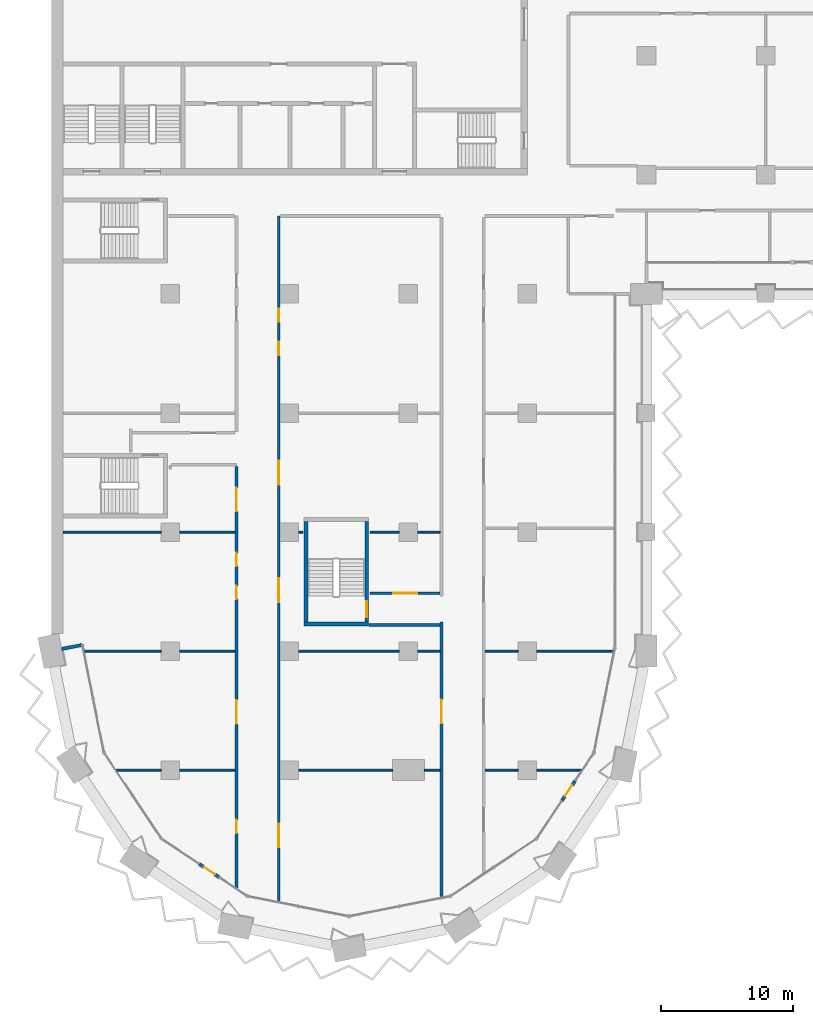
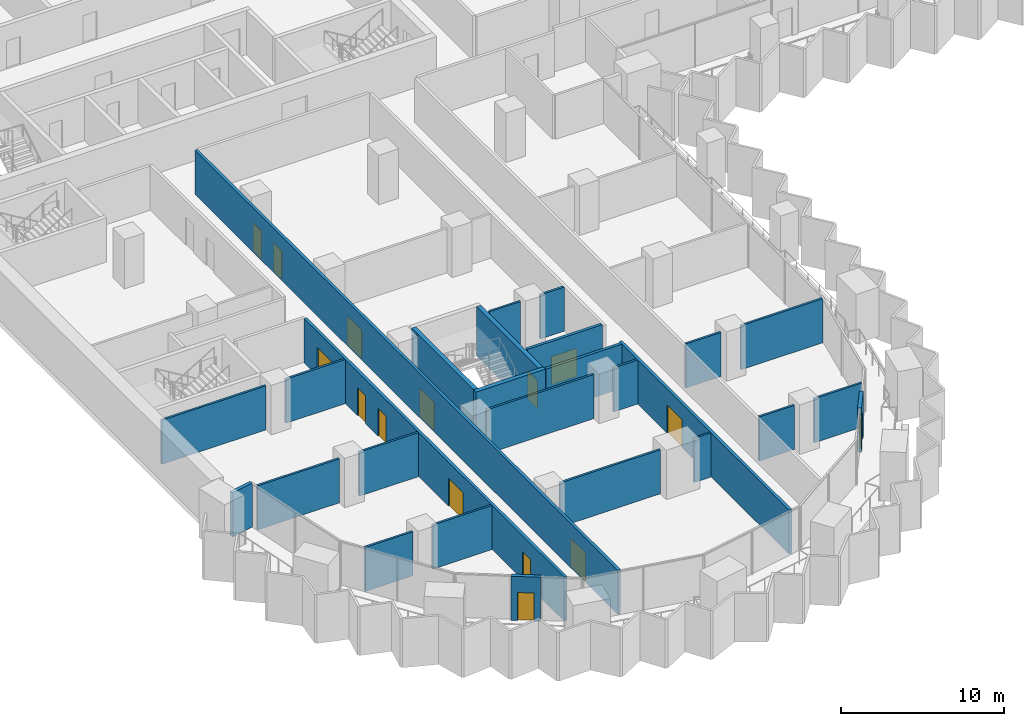
# One storey, part 10 of 29: 28 walls, 15 doors, 15 openings.
"""IFC4 building model written with IfcOpenShell, lengths in metres."""

from ifc_helpers import new_model, si_unit, direction, frame, frame_2d, origin, place, context, subcontext, project, spatial, rectangle, extrude, material, layer, layer_set, type_object, element, fill, save


model = new_model("IFC4")

# Units and contexts
model_context = context("Model", 3, precision=1e-05, world=origin(), true_north=direction((0.0, 1.0)))
body_context = subcontext(model_context, "Body", "Model", "MODEL_VIEW")
ifc_project = project(units=[si_unit("LENGTHUNIT", "METRE"), si_unit("AREAUNIT", "SQUARE_METRE"), si_unit("VOLUMEUNIT", "CUBIC_METRE"), si_unit("PLANEANGLEUNIT", "RADIAN"), si_unit("MASSUNIT", "GRAM", prefix="KILO")], contexts=[model_context])

# Site, building, storey
site_placement = place(None, origin())
site = spatial("IfcSite", under=ifc_project, at=site_placement, CompositionType="ELEMENT")
building_placement = place(site_placement, origin())
building = spatial("IfcBuilding", under=site, at=building_placement, Name="Hunhe Ridgeline Campus", CompositionType="ELEMENT")
storey_placement = place(building_placement, frame((0.0, 0.0, 69.10009765625)))
storey = spatial("IfcBuildingStorey", under=building, at=storey_placement, Name="L16", CompositionType="ELEMENT", Elevation=69.10009765625)

# Walls
ifc_material_1 = material(Name="Concrete C30", Category="concrete")
ifc_layer_1 = layer(ifc_material_1, 0.25)
ifc_layer_set_1 = layer_set([ifc_layer_1], Name="Corner return wall 250 Concrete C30")
wall_type_1 = type_object("IfcWallType", Name="Corner return wall 250 Concrete C30", PredefinedType="SOLIDWALL", material=ifc_layer_set_1)
wall_1_placement = place(storey_placement, frame((0.784423828125, 27.15673828125, 0.0), z_axis=(0.0, 0.0, 1.0), x_axis=(0.980826234823, 0.19488431718, 0.0)))
element("IfcWall", 1, at=wall_1_placement, inside=storey, type_object=wall_type_1, Name="Corner return wall 1", PredefinedType="SOLIDWALL", context=body_context, shape_type="SweptSolid", body=[
    extrude(rectangle(XDim=1.60107421875, YDim=0.25, at=frame_2d((0.800537109375, 0.0))), origin(), (0.0, 0.0, 1.0), 3.2998046875),
])
ifc_material_2 = material(Name="Gypsum board partition")
ifc_layer_2 = layer(ifc_material_2, 0.199951171875)
ifc_layer_set_2 = layer_set([ifc_layer_2], Name="Corridor partition 200 gypsum board on steel studs")
wall_type_2 = type_object("IfcWallType", Name="Corridor partition 200 gypsum board on steel studs", PredefinedType="PARTITIONING", material=ifc_layer_set_2)
wall_2_placement = place(storey_placement, frame((29.39990234375, 28.97509765625, 0.0), z_axis=(0.0, 0.0, 1.0), x_axis=(-1.0, 0.0, 0.0)))
element("IfcWall", 2, at=wall_2_placement, inside=storey, type_object=wall_type_2, Name="F-L16-wall-013", PredefinedType="PARTITIONING", context=body_context, shape_type="SweptSolid", body=[
    extrude(rectangle(XDim=5.369873046875, YDim=0.199951171875, at=frame_2d((2.68505859375, 0.0))), origin(), (0.0, 0.0, 1.0), 3.2998046875),
])

# Wall, opening, door
wall_3_placement = place(storey_placement, frame((24.10400390625, 31.375, 0.0), z_axis=(0.0, 0.0, 1.0), x_axis=(1.0, 0.0, 0.0)))
wall_3 = element("IfcWall", 3, at=wall_3_placement, inside=storey, type_object=wall_type_2, Name="F-L16-wall-014", PredefinedType="PARTITIONING", context=body_context, shape_type="SweptSolid", body=[
    extrude(rectangle(XDim=5.2958984375, YDim=0.199951171875, at=frame_2d((2.64794921875, 0.0))), origin(), (0.0, 0.0, 1.0), 3.2998046875),
])
opening_1_placement = place(wall_3_placement, frame((1.748046875, 0.0, 0.0)))
opening_1 = element("IfcOpeningElement", 4, at=opening_1_placement, cuts=wall_3, Name="Opening RD2-008", PredefinedType="OPENING", context=body_context, shape_type="SweptSolid", body=[
    extrude(rectangle(XDim=1.800048828125, YDim=2.10009765625, at=frame_2d((0.89990234375, 1.050048828125))), frame((0.0, 0.10009765625, 0.0), z_axis=(0.0, -1.0, 0.0), x_axis=(1.0, 0.0, 0.0)), (0.0, 0.0, 1.0), 0.199951171875),
])
ifc_material_3 = material(Name="Timber door leaf", Category="wood")
door_type_1 = type_object("IfcDoorType", Name="Double fire door 1800x2100 timber FD60", OperationType="DOUBLE_DOOR_SINGLE_SWING", PredefinedType="DOOR", material=ifc_material_3)
door_1_placement = place(opening_1_placement, origin())
door_1 = element("IfcDoor", 5, at=door_1_placement, inside=storey, type_object=door_type_1, Name="F-L16-door-008", OperationType="DOUBLE_DOOR_SINGLE_SWING", OverallHeight=2.10009765625, OverallWidth=1.800048828125, PredefinedType="DOOR", context=body_context, shape_type="SweptSolid", body=[
    extrude(rectangle(XDim=1.800048828125, YDim=2.10009765625, at=frame_2d((0.89990234375, 1.050048828125))), frame((0.0, 0.02490234375, 0.0), z_axis=(0.0, -1.0, 0.0), x_axis=(1.0, 0.0, 0.0)), (0.0, 0.0, 1.0), 0.050048828125),
])
fill(opening_1, door_1)

# Wall, openings, doors
wall_4_placement = place(storey_placement, frame((14.0, 9.091552734375, 0.0), z_axis=(0.0, 0.0, 1.0), x_axis=(0.0, 1.0, 0.0)))
wall_4 = element("IfcWall", 6, at=wall_4_placement, inside=storey, type_object=wall_type_2, Name="F-L16-wall-052", PredefinedType="PARTITIONING", context=body_context, shape_type="SweptSolid", body=[
    extrude(rectangle(XDim=31.8798828125, YDim=0.199951171875, at=frame_2d((15.93994140625, 0.0))), origin(), (0.0, 0.0, 1.0), 3.2998046875),
])
opening_2_placement = place(wall_4_placement, frame((4.143798828125, 0.0, 0.0)))
opening_2 = element("IfcOpeningElement", 7, at=opening_2_placement, cuts=wall_4, Name="Opening RD1-002", PredefinedType="OPENING", context=body_context, shape_type="SweptSolid", body=[
    extrude(rectangle(XDim=1.0, YDim=2.10009765625, at=frame_2d((0.5, 1.050048828125))), frame((0.0, 0.10009765625, 0.0), z_axis=(0.0, -1.0, 0.0), x_axis=(1.0, 0.0, 0.0)), (0.0, 0.0, 1.0), 0.199951171875),
])
opening_3_placement = place(wall_4_placement, frame((12.404296875, 0.0, 0.0)))
opening_3 = element("IfcOpeningElement", 8, at=opening_3_placement, cuts=wall_4, Name="Opening RD2-004", PredefinedType="OPENING", context=body_context, shape_type="SweptSolid", body=[
    extrude(rectangle(XDim=1.800048828125, YDim=2.10009765625, at=frame_2d((0.89990234375, 1.050048828125))), frame((0.0, 0.10009765625, 0.0), z_axis=(0.0, -1.0, 0.0), x_axis=(1.0, 0.0, 0.0)), (0.0, 0.0, 1.0), 0.199951171875),
])
opening_4_placement = place(wall_4_placement, frame((21.841064453125, 0.0, 0.0)))
opening_4 = element("IfcOpeningElement", 9, at=opening_4_placement, cuts=wall_4, Name="Opening RD1-007", PredefinedType="OPENING", context=body_context, shape_type="SweptSolid", body=[
    extrude(rectangle(XDim=1.0, YDim=2.10009765625, at=frame_2d((0.5, 1.050048828125))), frame((0.0, 0.10009765625, 0.0), z_axis=(0.0, -1.0, 0.0), x_axis=(1.0, 0.0, 0.0)), (0.0, 0.0, 1.0), 0.199951171875),
])
opening_5_placement = place(wall_4_placement, frame((24.341064453125, 0.0, 0.0)))
opening_5 = element("IfcOpeningElement", 10, at=opening_5_placement, cuts=wall_4, Name="Opening RD1-011", PredefinedType="OPENING", context=body_context, shape_type="SweptSolid", body=[
    extrude(rectangle(XDim=1.0, YDim=2.10009765625, at=frame_2d((0.5, 1.050048828125))), frame((0.0, 0.10009765625, 0.0), z_axis=(0.0, -1.0, 0.0), x_axis=(1.0, 0.0, 0.0)), (0.0, 0.0, 1.0), 0.199951171875),
])
opening_6_placement = place(wall_4_placement, frame((28.469482421875, 0.0, 0.0)))
opening_6 = element("IfcOpeningElement", 11, at=opening_6_placement, cuts=wall_4, Name="Opening RD2-012", PredefinedType="OPENING", context=body_context, shape_type="SweptSolid", body=[
    extrude(rectangle(XDim=1.800048828125, YDim=2.10009765625, at=frame_2d((0.89990234375, 1.050048828125))), frame((0.0, 0.10009765625, 0.0), z_axis=(0.0, -1.0, 0.0), x_axis=(1.0, 0.0, 0.0)), (0.0, 0.0, 1.0), 0.199951171875),
])
door_2_placement = place(opening_3_placement, origin())
door_2 = element("IfcDoor", 12, at=door_2_placement, inside=storey, type_object=door_type_1, Name="F-L16-door-004", OperationType="DOUBLE_DOOR_SINGLE_SWING", OverallHeight=2.10009765625, OverallWidth=1.800048828125, PredefinedType="DOOR", context=body_context, shape_type="SweptSolid", body=[
    extrude(rectangle(XDim=1.800048828125, YDim=2.10009765625, at=frame_2d((0.89990234375, 1.050048828125))), frame((0.0, 0.02490234375, 0.0), z_axis=(0.0, -1.0, 0.0), x_axis=(1.0, 0.0, 0.0)), (0.0, 0.0, 1.0), 0.050048828125),
])
fill(opening_3, door_2)
door_3_placement = place(opening_6_placement, origin())
door_3 = element("IfcDoor", 13, at=door_3_placement, inside=storey, type_object=door_type_1, Name="F-L16-door-012", OperationType="DOUBLE_DOOR_SINGLE_SWING", OverallHeight=2.10009765625, OverallWidth=1.800048828125, PredefinedType="DOOR", context=body_context, shape_type="SweptSolid", body=[
    extrude(rectangle(XDim=1.800048828125, YDim=2.10009765625, at=frame_2d((0.89990234375, 1.050048828125))), frame((0.0, 0.02490234375, 0.0), z_axis=(0.0, -1.0, 0.0), x_axis=(1.0, 0.0, 0.0)), (0.0, 0.0, 1.0), 0.050048828125),
])
fill(opening_6, door_3)
door_type_2 = type_object("IfcDoorType", Name="Single fire door 1000x2100 timber FD60", OperationType="NOTDEFINED", PredefinedType="DOOR", material=ifc_material_3)
door_4_placement = place(opening_2_placement, origin())
door_4 = element("IfcDoor", 14, at=door_4_placement, inside=storey, type_object=door_type_2, Name="F-L16-door-002", OperationType="SINGLE_SWING_RIGHT", OverallHeight=2.10009765625, OverallWidth=1.0, PredefinedType="DOOR", context=body_context, shape_type="SweptSolid", body=[
    extrude(rectangle(XDim=1.0, YDim=2.10009765625, at=frame_2d((0.5, 1.050048828125))), frame((0.0, 0.02490234375, 0.0), z_axis=(0.0, -1.0, 0.0), x_axis=(1.0, 0.0, 0.0)), (0.0, 0.0, 1.0), 0.050048828125),
])
fill(opening_2, door_4)
door_5_placement = place(opening_4_placement, frame((1.0, 0.0, 0.0), z_axis=(0.0, 0.0, 1.0), x_axis=(-1.0, 0.0, 0.0)))
door_5 = element("IfcDoor", 15, at=door_5_placement, inside=storey, type_object=door_type_2, Name="F-L16-door-007", OperationType="SINGLE_SWING_LEFT", OverallHeight=2.10009765625, OverallWidth=1.0, PredefinedType="DOOR", context=body_context, shape_type="SweptSolid", body=[
    extrude(rectangle(XDim=1.0, YDim=2.10009765625, at=frame_2d((0.5, 1.050048828125))), frame((0.0, 0.02490234375, 0.0), z_axis=(0.0, -1.0, 0.0), x_axis=(1.0, 0.0, 0.0)), (0.0, 0.0, 1.0), 0.050048828125),
])
fill(opening_4, door_5)
door_6_placement = place(opening_5_placement, frame((1.0, 0.0, 0.0), z_axis=(0.0, 0.0, 1.0), x_axis=(-1.0, 0.0, 0.0)))
door_6 = element("IfcDoor", 16, at=door_6_placement, inside=storey, type_object=door_type_2, Name="F-L16-door-011", OperationType="SINGLE_SWING_LEFT", OverallHeight=2.10009765625, OverallWidth=1.0, PredefinedType="DOOR", context=body_context, shape_type="SweptSolid", body=[
    extrude(rectangle(XDim=1.0, YDim=2.10009765625, at=frame_2d((0.5, 1.050048828125))), frame((0.0, 0.02490234375, 0.0), z_axis=(0.0, -1.0, 0.0), x_axis=(1.0, 0.0, 0.0)), (0.0, 0.0, 1.0), 0.050048828125),
])
fill(opening_5, door_6)

wall_5_placement = place(storey_placement, frame((17.199951171875, 59.89990234375, 0.0), z_axis=(0.0, 0.0, 1.0), x_axis=(0.0, -1.0, 0.0)))
wall_5 = element("IfcWall", 17, at=wall_5_placement, inside=storey, type_object=wall_type_2, Name="F-L16-wall-054", PredefinedType="PARTITIONING", context=body_context, shape_type="SweptSolid", body=[
    extrude(rectangle(XDim=51.842529296875, YDim=0.199951171875, at=frame_2d((25.92138671875, 0.0))), origin(), (0.0, 0.0, 1.0), 3.2998046875),
])
opening_7_placement = place(wall_5_placement, frame((45.93359375, 0.0, 0.0)))
opening_7 = element("IfcOpeningElement", 18, at=opening_7_placement, cuts=wall_5, Name="Opening RD2-001", PredefinedType="OPENING", context=body_context, shape_type="SweptSolid", body=[
    extrude(rectangle(XDim=1.800048828125, YDim=2.10009765625, at=frame_2d((0.89990234375, 1.050048828125))), frame((0.0, 0.10009765625, 0.0), z_axis=(0.0, -1.0, 0.0), x_axis=(1.0, 0.0, 0.0)), (0.0, 0.0, 1.0), 0.199951171875),
])
opening_8_placement = place(wall_5_placement, frame((27.400634765625, 0.0, 0.0)))
opening_8 = element("IfcOpeningElement", 19, at=opening_8_placement, cuts=wall_5, Name="Opening RD2-009", PredefinedType="OPENING", context=body_context, shape_type="SweptSolid", body=[
    extrude(rectangle(XDim=1.800048828125, YDim=2.10009765625, at=frame_2d((0.89990234375, 1.050048828125))), frame((0.0, 0.10009765625, 0.0), z_axis=(0.0, -1.0, 0.0), x_axis=(1.0, 0.0, 0.0)), (0.0, 0.0, 1.0), 0.199951171875),
])
opening_9_placement = place(wall_5_placement, frame((18.509765625, 0.0, 0.0)))
opening_9 = element("IfcOpeningElement", 20, at=opening_9_placement, cuts=wall_5, Name="Opening RD2-013", PredefinedType="OPENING", context=body_context, shape_type="SweptSolid", body=[
    extrude(rectangle(XDim=1.800048828125, YDim=2.10009765625, at=frame_2d((0.89990234375, 1.050048828125))), frame((0.0, 0.10009765625, 0.0), z_axis=(0.0, -1.0, 0.0), x_axis=(1.0, 0.0, 0.0)), (0.0, 0.0, 1.0), 0.199951171875),
])
opening_10_placement = place(wall_5_placement, frame((9.513427734375, 0.0, 0.0)))
opening_10 = element("IfcOpeningElement", 21, at=opening_10_placement, cuts=wall_5, Name="Opening RD1-016", PredefinedType="OPENING", context=body_context, shape_type="SweptSolid", body=[
    extrude(rectangle(XDim=1.0, YDim=2.10009765625, at=frame_2d((0.5, 1.050048828125))), frame((0.0, 0.10009765625, 0.0), z_axis=(0.0, -1.0, 0.0), x_axis=(1.0, 0.0, 0.0)), (0.0, 0.0, 1.0), 0.199951171875),
])
opening_11_placement = place(wall_5_placement, frame((7.013427734375, 0.0, 0.0)))
opening_11 = element("IfcOpeningElement", 22, at=opening_11_placement, cuts=wall_5, Name="Opening RD1-017", PredefinedType="OPENING", context=body_context, shape_type="SweptSolid", body=[
    extrude(rectangle(XDim=1.0, YDim=2.10009765625, at=frame_2d((0.5, 1.050048828125))), frame((0.0, 0.10009765625, 0.0), z_axis=(0.0, -1.0, 0.0), x_axis=(1.0, 0.0, 0.0)), (0.0, 0.0, 1.0), 0.199951171875),
])
door_7_placement = place(opening_7_placement, origin())
door_7 = element("IfcDoor", 23, at=door_7_placement, inside=storey, type_object=door_type_1, Name="F-L16-door-001", OperationType="DOUBLE_DOOR_SINGLE_SWING", OverallHeight=2.10009765625, OverallWidth=1.800048828125, PredefinedType="DOOR", context=body_context, shape_type="SweptSolid", body=[
    extrude(rectangle(XDim=1.800048828125, YDim=2.10009765625, at=frame_2d((0.89990234375, 1.050048828125))), frame((0.0, 0.02490234375, 0.0), z_axis=(0.0, -1.0, 0.0), x_axis=(1.0, 0.0, 0.0)), (0.0, 0.0, 1.0), 0.050048828125),
])
fill(opening_7, door_7)
door_8_placement = place(opening_8_placement, origin())
door_8 = element("IfcDoor", 24, at=door_8_placement, inside=storey, type_object=door_type_1, Name="F-L16-door-009", OperationType="DOUBLE_DOOR_SINGLE_SWING", OverallHeight=2.10009765625, OverallWidth=1.800048828125, PredefinedType="DOOR", context=body_context, shape_type="SweptSolid", body=[
    extrude(rectangle(XDim=1.800048828125, YDim=2.10009765625, at=frame_2d((0.89990234375, 1.050048828125))), frame((0.0, 0.02490234375, 0.0), z_axis=(0.0, -1.0, 0.0), x_axis=(1.0, 0.0, 0.0)), (0.0, 0.0, 1.0), 0.050048828125),
])
fill(opening_8, door_8)
door_9_placement = place(opening_9_placement, origin())
door_9 = element("IfcDoor", 25, at=door_9_placement, inside=storey, type_object=door_type_1, Name="F-L16-door-013", OperationType="DOUBLE_DOOR_SINGLE_SWING", OverallHeight=2.10009765625, OverallWidth=1.800048828125, PredefinedType="DOOR", context=body_context, shape_type="SweptSolid", body=[
    extrude(rectangle(XDim=1.800048828125, YDim=2.10009765625, at=frame_2d((0.89990234375, 1.050048828125))), frame((0.0, 0.02490234375, 0.0), z_axis=(0.0, -1.0, 0.0), x_axis=(1.0, 0.0, 0.0)), (0.0, 0.0, 1.0), 0.050048828125),
])
fill(opening_9, door_9)
door_10_placement = place(opening_10_placement, frame((1.0, 0.0, 0.0), z_axis=(0.0, 0.0, 1.0), x_axis=(-1.0, 0.0, 0.0)))
door_10 = element("IfcDoor", 26, at=door_10_placement, inside=storey, type_object=door_type_2, Name="F-L16-door-016", OperationType="SINGLE_SWING_LEFT", OverallHeight=2.10009765625, OverallWidth=1.0, PredefinedType="DOOR", context=body_context, shape_type="SweptSolid", body=[
    extrude(rectangle(XDim=1.0, YDim=2.10009765625, at=frame_2d((0.5, 1.050048828125))), frame((0.0, 0.02490234375, 0.0), z_axis=(0.0, -1.0, 0.0), x_axis=(1.0, 0.0, 0.0)), (0.0, 0.0, 1.0), 0.050048828125),
])
fill(opening_10, door_10)
door_11_placement = place(opening_11_placement, frame((1.0, 0.0, 0.0), z_axis=(0.0, 0.0, 1.0), x_axis=(-1.0, 0.0, 0.0)))
door_11 = element("IfcDoor", 27, at=door_11_placement, inside=storey, type_object=door_type_2, Name="F-L16-door-017", OperationType="SINGLE_SWING_RIGHT", OverallHeight=2.10009765625, OverallWidth=1.0, PredefinedType="DOOR", context=body_context, shape_type="SweptSolid", body=[
    extrude(rectangle(XDim=1.0, YDim=2.10009765625, at=frame_2d((0.5, 1.050048828125))), frame((0.0, 0.02490234375, 0.0), z_axis=(0.0, -1.0, 0.0), x_axis=(1.0, 0.0, 0.0)), (0.0, 0.0, 1.0), 0.050048828125),
])
fill(opening_11, door_11)

# Wall, opening, door
wall_6_placement = place(storey_placement, frame((29.5, 8.3955078125, 0.0), z_axis=(0.0, 0.0, 1.0), x_axis=(0.0, 1.0, 0.0)))
wall_6 = element("IfcWall", 28, at=wall_6_placement, inside=storey, type_object=wall_type_2, Name="F-L16-wall-055", PredefinedType="PARTITIONING", context=body_context, shape_type="SweptSolid", body=[
    extrude(rectangle(XDim=20.7998046875, YDim=0.199951171875, at=frame_2d((10.39990234375, 0.0))), origin(), (0.0, 0.0, 1.0), 3.2998046875),
])
opening_12_placement = place(wall_6_placement, frame((13.1337890625, 0.0, 0.0)))
opening_12 = element("IfcOpeningElement", 29, at=opening_12_placement, cuts=wall_6, Name="Opening RD2-005", PredefinedType="OPENING", context=body_context, shape_type="SweptSolid", body=[
    extrude(rectangle(XDim=1.800048828125, YDim=2.10009765625, at=frame_2d((0.89990234375, 1.050048828125))), frame((0.0, 0.10009765625, 0.0), z_axis=(0.0, -1.0, 0.0), x_axis=(1.0, 0.0, 0.0)), (0.0, 0.0, 1.0), 0.199951171875),
])
door_12_placement = place(opening_12_placement, origin())
door_12 = element("IfcDoor", 30, at=door_12_placement, inside=storey, type_object=door_type_1, Name="F-L16-door-005", OperationType="DOUBLE_DOOR_SINGLE_SWING", OverallHeight=2.10009765625, OverallWidth=1.800048828125, PredefinedType="DOOR", context=body_context, shape_type="SweptSolid", body=[
    extrude(rectangle(XDim=1.800048828125, YDim=2.10009765625, at=frame_2d((0.89990234375, 1.050048828125))), frame((0.0, 0.02490234375, 0.0), z_axis=(0.0, -1.0, 0.0), x_axis=(1.0, 0.0, 0.0)), (0.0, 0.0, 1.0), 0.050048828125),
])
fill(opening_12, door_12)

ifc_layer_3 = layer(ifc_material_1, 0.25)
ifc_layer_set_3 = layer_set([ifc_layer_3], Name="Loggia door pier wall 250 Concrete C30")
wall_type_3 = type_object("IfcWallType", Name="Loggia door pier wall 250 Concrete C30", PredefinedType="SOLIDWALL", material=ifc_layer_set_3)
wall_7_placement = place(storey_placement, frame((11.19970703125, 10.897705078125, 0.0), z_axis=(0.0, 0.0, 1.0), x_axis=(0.83146554274, -0.555576323502, 0.0)))
wall_7 = element("IfcWall", 31, at=wall_7_placement, inside=storey, type_object=wall_type_3, Name="Loggia door pier 1", PredefinedType="SOLIDWALL", context=body_context, shape_type="SweptSolid", body=[
    extrude(rectangle(XDim=1.800048828125, YDim=0.25, at=frame_2d((0.89990234375, 0.0))), origin(), (0.0, 0.0, 1.0), 3.2998046875),
])
opening_13_placement = place(wall_7_placement, frame((0.39990234375, 0.0, 0.0)))
opening_13 = element("IfcOpeningElement", 32, at=opening_13_placement, cuts=wall_7, Name="Opening BD102", PredefinedType="OPENING", context=body_context, shape_type="SweptSolid", body=[
    extrude(rectangle(XDim=1.0, YDim=2.10009765625, at=frame_2d((0.5, 1.050048828125))), frame((0.0, 0.125, 0.0), z_axis=(0.0, -1.0, 0.0), x_axis=(1.0, 0.0, 0.0)), (0.0, 0.0, 1.0), 0.25),
])
ifc_material_4 = material(Name="Aluminium 6063", Category="aluminium")
door_type_3 = type_object("IfcDoorType", Name="Loggia glazed door 1000x2100", OperationType="NOTDEFINED", PredefinedType="DOOR", material=ifc_material_4)
door_13_placement = place(opening_13_placement, frame((1.0, 0.0, 0.0), z_axis=(0.0, 0.0, 1.0), x_axis=(-1.0, 0.0, 0.0)))
door_13 = element("IfcDoor", 33, at=door_13_placement, inside=storey, type_object=door_type_3, Name="Loggia door BD102", OperationType="SINGLE_SWING_LEFT", OverallHeight=2.10009765625, OverallWidth=1.0, PredefinedType="DOOR", context=body_context, shape_type="SweptSolid", body=[
    extrude(rectangle(XDim=1.0, YDim=2.10009765625, at=frame_2d((0.5, 1.050048828125))), frame((0.0, 0.02490234375, 0.0), z_axis=(0.0, -1.0, 0.0), x_axis=(1.0, 0.0, 0.0)), (0.0, 0.0, 1.0), 0.050048828125),
])
fill(opening_13, door_13)

wall_8_placement = place(storey_placement, frame((38.602294921875, 15.69970703125, 0.0), z_axis=(0.0, 0.0, 1.0), x_axis=(0.555576323502, 0.83146554274, 0.0)))
wall_8 = element("IfcWall", 34, at=wall_8_placement, inside=storey, type_object=wall_type_3, Name="Loggia door pier 2", PredefinedType="SOLIDWALL", context=body_context, shape_type="SweptSolid", body=[
    extrude(rectangle(XDim=1.800048828125, YDim=0.25, at=frame_2d((0.89990234375, 0.0))), origin(), (0.0, 0.0, 1.0), 3.2998046875),
])
opening_14_placement = place(wall_8_placement, frame((0.39990234375, 0.0, 0.0)))
opening_14 = element("IfcOpeningElement", 35, at=opening_14_placement, cuts=wall_8, Name="Opening BD104", PredefinedType="OPENING", context=body_context, shape_type="SweptSolid", body=[
    extrude(rectangle(XDim=1.0, YDim=2.10009765625, at=frame_2d((0.5, 1.050048828125))), frame((0.0, 0.125, 0.0), z_axis=(0.0, -1.0, 0.0), x_axis=(1.0, 0.0, 0.0)), (0.0, 0.0, 1.0), 0.25),
])
door_14_placement = place(opening_14_placement, frame((1.0, 0.0, 0.0), z_axis=(0.0, 0.0, 1.0), x_axis=(-1.0, 0.0, 0.0)))
door_14 = element("IfcDoor", 36, at=door_14_placement, inside=storey, type_object=door_type_3, Name="Loggia door BD104", OperationType="SINGLE_SWING_LEFT", OverallHeight=2.10009765625, OverallWidth=1.0, PredefinedType="DOOR", context=body_context, shape_type="SweptSolid", body=[
    extrude(rectangle(XDim=1.0, YDim=2.10009765625, at=frame_2d((0.5, 1.050048828125))), frame((0.0, 0.02490234375, 0.0), z_axis=(0.0, -1.0, 0.0), x_axis=(1.0, 0.0, 0.0)), (0.0, 0.0, 1.0), 0.050048828125),
])
fill(opening_14, door_14)

# Walls
ifc_layer_4 = layer(ifc_material_2, 0.14990234375)
ifc_layer_set_4 = layer_set([ifc_layer_4], Name="Room partition 150 gypsum board on steel studs")
wall_type_4 = type_object("IfcWallType", Name="Room partition 150 gypsum board on steel studs", PredefinedType="PARTITIONING", material=ifc_layer_set_4)
wall_9_placement = place(storey_placement, frame((4.925537109375, 18.0, 0.0), z_axis=(0.0, 0.0, 1.0), x_axis=(1.0, 0.0, 0.0)))
element("IfcWall", 37, at=wall_9_placement, inside=storey, type_object=wall_type_4, Name="F-L16-wall-001", PredefinedType="PARTITIONING", context=body_context, shape_type="SweptSolid", body=[
    extrude(rectangle(XDim=3.37451171875, YDim=0.14990234375, at=frame_2d((1.687255859375, 0.0))), origin(), (0.0, 0.0, 1.0), 3.2998046875),
])
wall_10_placement = place(storey_placement, frame((9.699951171875, 18.0, 0.0), z_axis=(0.0, 0.0, 1.0), x_axis=(1.0, 0.0, 0.0)))
element("IfcWall", 38, at=wall_10_placement, inside=storey, type_object=wall_type_4, Name="F-L16-wall-002", PredefinedType="PARTITIONING", context=body_context, shape_type="SweptSolid", body=[
    extrude(rectangle(XDim=4.199951171875, YDim=0.14990234375, at=frame_2d((2.10009765625, 0.0))), origin(), (0.0, 0.0, 1.0), 3.2998046875),
])
wall_11_placement = place(storey_placement, frame((18.699951171875, 18.0, 0.0), z_axis=(0.0, 0.0, 1.0), x_axis=(1.0, 0.0, 0.0)))
element("IfcWall", 39, at=wall_11_placement, inside=storey, type_object=wall_type_4, Name="F-L16-wall-003", PredefinedType="PARTITIONING", context=body_context, shape_type="SweptSolid", body=[
    extrude(rectangle(XDim=7.10009765625, YDim=0.14990234375, at=frame_2d((3.550048828125, 0.0))), origin(), (0.0, 0.0, 1.0), 3.2998046875),
])
wall_12_placement = place(storey_placement, frame((28.199951171875, 18.0, 0.0), z_axis=(0.0, 0.0, 1.0), x_axis=(1.0, 0.0, 0.0)))
element("IfcWall", 40, at=wall_12_placement, inside=storey, type_object=wall_type_4, Name="F-L16-wall-004", PredefinedType="PARTITIONING", context=body_context, shape_type="SweptSolid", body=[
    extrude(rectangle(XDim=1.199951171875, YDim=0.14990234375, at=frame_2d((0.60009765625, 0.0))), origin(), (0.0, 0.0, 1.0), 3.2998046875),
])
wall_13_placement = place(storey_placement, frame((32.800048828125, 18.0, 0.0), z_axis=(0.0, 0.0, 1.0), x_axis=(1.0, 0.0, 0.0)))
element("IfcWall", 41, at=wall_13_placement, inside=storey, type_object=wall_type_4, Name="F-L16-wall-005", PredefinedType="PARTITIONING", context=body_context, shape_type="SweptSolid", body=[
    extrude(rectangle(XDim=2.5, YDim=0.14990234375, at=frame_2d((1.25, 0.0))), origin(), (0.0, 0.0, 1.0), 3.2998046875),
])
wall_14_placement = place(storey_placement, frame((36.699951171875, 18.0, 0.0), z_axis=(0.0, 0.0, 1.0), x_axis=(1.0, 0.0, 0.0)))
element("IfcWall", 42, at=wall_14_placement, inside=storey, type_object=wall_type_4, Name="F-L16-wall-006", PredefinedType="PARTITIONING", context=body_context, shape_type="SweptSolid", body=[
    extrude(rectangle(XDim=3.37451171875, YDim=0.14990234375, at=frame_2d((1.687255859375, 0.0))), origin(), (0.0, 0.0, 1.0), 3.2998046875),
])
wall_15_placement = place(storey_placement, frame((2.503173828125, 27.0, 0.0), z_axis=(0.0, 0.0, 1.0), x_axis=(1.0, 0.0, 0.0)))
element("IfcWall", 43, at=wall_15_placement, inside=storey, type_object=wall_type_4, Name="F-L16-wall-007", PredefinedType="PARTITIONING", context=body_context, shape_type="SweptSolid", body=[
    extrude(rectangle(XDim=5.796875, YDim=0.14990234375, at=frame_2d((2.8984375, 0.0))), origin(), (0.0, 0.0, 1.0), 3.2998046875),
])
wall_16_placement = place(storey_placement, frame((9.699951171875, 27.0, 0.0), z_axis=(0.0, 0.0, 1.0), x_axis=(1.0, 0.0, 0.0)))
element("IfcWall", 44, at=wall_16_placement, inside=storey, type_object=wall_type_4, Name="F-L16-wall-008", PredefinedType="PARTITIONING", context=body_context, shape_type="SweptSolid", body=[
    extrude(rectangle(XDim=4.199951171875, YDim=0.14990234375, at=frame_2d((2.10009765625, 0.0))), origin(), (0.0, 0.0, 1.0), 3.2998046875),
])
wall_17_placement = place(storey_placement, frame((18.699951171875, 27.0, 0.0), z_axis=(0.0, 0.0, 1.0), x_axis=(1.0, 0.0, 0.0)))
element("IfcWall", 45, at=wall_17_placement, inside=storey, type_object=wall_type_4, Name="F-L16-wall-009", PredefinedType="PARTITIONING", context=body_context, shape_type="SweptSolid", body=[
    extrude(rectangle(XDim=7.60009765625, YDim=0.14990234375, at=frame_2d((3.800048828125, 0.0))), origin(), (0.0, 0.0, 1.0), 3.2998046875),
])
wall_18_placement = place(storey_placement, frame((27.699951171875, 27.0, 0.0), z_axis=(0.0, 0.0, 1.0), x_axis=(1.0, 0.0, 0.0)))
element("IfcWall", 46, at=wall_18_placement, inside=storey, type_object=wall_type_4, Name="F-L16-wall-010", PredefinedType="PARTITIONING", context=body_context, shape_type="SweptSolid", body=[
    extrude(rectangle(XDim=1.699951171875, YDim=0.14990234375, at=frame_2d((0.85009765625, 0.0))), origin(), (0.0, 0.0, 1.0), 3.2998046875),
])
wall_19_placement = place(storey_placement, frame((32.800048828125, 27.0, 0.0), z_axis=(0.0, 0.0, 1.0), x_axis=(1.0, 0.0, 0.0)))
element("IfcWall", 47, at=wall_19_placement, inside=storey, type_object=wall_type_4, Name="F-L16-wall-011", PredefinedType="PARTITIONING", context=body_context, shape_type="SweptSolid", body=[
    extrude(rectangle(XDim=2.5, YDim=0.14990234375, at=frame_2d((1.25, 0.0))), origin(), (0.0, 0.0, 1.0), 3.2998046875),
])
wall_20_placement = place(storey_placement, frame((36.699951171875, 27.0, 0.0), z_axis=(0.0, 0.0, 1.0), x_axis=(1.0, 0.0, 0.0)))
element("IfcWall", 48, at=wall_20_placement, inside=storey, type_object=wall_type_4, Name="F-L16-wall-012", PredefinedType="PARTITIONING", context=body_context, shape_type="SweptSolid", body=[
    extrude(rectangle(XDim=5.796875, YDim=0.14990234375, at=frame_2d((2.8984375, 0.0))), origin(), (0.0, 0.0, 1.0), 3.2998046875),
])
wall_21_placement = place(storey_placement, frame((0.919921875, 36.0, 0.0), z_axis=(0.0, 0.0, 1.0), x_axis=(1.0, 0.0, 0.0)))
element("IfcWall", 49, at=wall_21_placement, inside=storey, type_object=wall_type_4, Name="F-L16-wall-015", PredefinedType="PARTITIONING", context=body_context, shape_type="SweptSolid", body=[
    extrude(rectangle(XDim=7.380126953125, YDim=0.14990234375, at=frame_2d((3.68994140625, 0.0))), origin(), (0.0, 0.0, 1.0), 3.2998046875),
])
wall_22_placement = place(storey_placement, frame((9.699951171875, 36.0, 0.0), z_axis=(0.0, 0.0, 1.0), x_axis=(1.0, 0.0, 0.0)))
element("IfcWall", 50, at=wall_22_placement, inside=storey, type_object=wall_type_4, Name="F-L16-wall-016", PredefinedType="PARTITIONING", context=body_context, shape_type="SweptSolid", body=[
    extrude(rectangle(XDim=4.199951171875, YDim=0.14990234375, at=frame_2d((2.10009765625, 0.0))), origin(), (0.0, 0.0, 1.0), 3.2998046875),
])
wall_23_placement = place(storey_placement, frame((18.699951171875, 36.0, 0.0), z_axis=(0.0, 0.0, 1.0), x_axis=(1.0, 0.0, 0.0)))
element("IfcWall", 51, at=wall_23_placement, inside=storey, type_object=wall_type_4, Name="F-L16-wall-017", PredefinedType="PARTITIONING", context=body_context, shape_type="SweptSolid", body=[
    extrude(rectangle(XDim=0.296142578125, YDim=0.14990234375, at=frame_2d((0.14794921875, 0.0))), origin(), (0.0, 0.0, 1.0), 3.2998046875),
])
wall_24_placement = place(storey_placement, frame((24.10400390625, 36.0, 0.0), z_axis=(0.0, 0.0, 1.0), x_axis=(1.0, 0.0, 0.0)))
element("IfcWall", 52, at=wall_24_placement, inside=storey, type_object=wall_type_4, Name="F-L16-wall-018", PredefinedType="PARTITIONING", context=body_context, shape_type="SweptSolid", body=[
    extrude(rectangle(XDim=2.196044921875, YDim=0.14990234375, at=frame_2d((1.09814453125, 0.0))), origin(), (0.0, 0.0, 1.0), 3.2998046875),
])
wall_25_placement = place(storey_placement, frame((27.699951171875, 36.0, 0.0), z_axis=(0.0, 0.0, 1.0), x_axis=(1.0, 0.0, 0.0)))
element("IfcWall", 53, at=wall_25_placement, inside=storey, type_object=wall_type_4, Name="F-L16-wall-019", PredefinedType="PARTITIONING", context=body_context, shape_type="SweptSolid", body=[
    extrude(rectangle(XDim=1.699951171875, YDim=0.14990234375, at=frame_2d((0.85009765625, 0.0))), origin(), (0.0, 0.0, 1.0), 3.2998046875),
])
ifc_material_5 = material(Name="Concrete C80", Category="concrete")
ifc_layer_5 = layer(ifc_material_5, 0.300048828125)
ifc_layer_set_5 = layer_set([ifc_layer_5], Name="Stair wall 300 reinforced concrete C80")
wall_type_5 = type_object("IfcWallType", Name="Stair wall 300 reinforced concrete C80", PredefinedType="SOLIDWALL", material=ifc_layer_set_5)
wall_26_placement = place(storey_placement, frame((19.10009765625, 29.050048828125, -0.400146484375), z_axis=(0.0, 0.0, 1.0), x_axis=(1.0, 0.0, 0.0)))
element("IfcWall", 54, at=wall_26_placement, inside=storey, type_object=wall_type_5, Name="L16 core wall 1", PredefinedType="SOLIDWALL", context=body_context, shape_type="SweptSolid", body=[
    extrude(rectangle(XDim=4.89990234375, YDim=0.300048828125, at=frame_2d((2.449951171875, 0.0))), origin(), (0.0, 0.0, 1.0), 3.699951171875),
])
wall_27_placement = place(storey_placement, frame((19.25, 29.199951171875, -0.400146484375), z_axis=(0.0, 0.0, 1.0), x_axis=(0.0, 1.0, 0.0)))
element("IfcWall", 55, at=wall_27_placement, inside=storey, type_object=wall_type_5, Name="L16 core wall 51", PredefinedType="SOLIDWALL", context=body_context, shape_type="SweptSolid", body=[
    extrude(rectangle(XDim=7.60009765625, YDim=0.300048828125, at=frame_2d((3.800048828125, 0.0))), origin(), (0.0, 0.0, 1.0), 3.699951171875),
])

# Wall, opening, door
wall_28_placement = place(storey_placement, frame((23.85009765625, 29.199951171875, -0.400146484375), z_axis=(0.0, 0.0, 1.0), x_axis=(0.0, 1.0, 0.0)))
wall_28 = element("IfcWall", 56, at=wall_28_placement, inside=storey, type_object=wall_type_5, Name="L16 core wall 56", PredefinedType="SOLIDWALL", context=body_context, shape_type="SweptSolid", body=[
    extrude(rectangle(XDim=7.60009765625, YDim=0.300048828125, at=frame_2d((3.800048828125, 0.0))), origin(), (0.0, 0.0, 1.0), 3.699951171875),
])
opening_15_placement = place(wall_28_placement, frame((0.375, 0.0, 0.39990234375)))
opening_15 = element("IfcOpeningElement", 57, at=opening_15_placement, cuts=wall_28, Name="Opening CD23", PredefinedType="OPENING", context=body_context, shape_type="SweptSolid", body=[
    extrude(rectangle(XDim=1.199951171875, YDim=2.10009765625, at=frame_2d((0.60009765625, 1.050048828125))), frame((0.0, 0.14990234375, 0.0), z_axis=(0.0, -1.0, 0.0), x_axis=(1.0, 0.0, 0.0)), (0.0, 0.0, 1.0), 0.300048828125),
])
ifc_material_6 = material(Name="Hollow metal fire door leaf")
door_type_4 = type_object("IfcDoorType", Name="Stair door 1200x2100 FD60", OperationType="SINGLE_SWING_LEFT", PredefinedType="DOOR", material=ifc_material_6)
door_15_placement = place(opening_15_placement, frame((1.199951171875, 0.0, 0.0), z_axis=(0.0, 0.0, 1.0), x_axis=(-1.0, 0.0, 0.0)))
door_15 = element("IfcDoor", 58, at=door_15_placement, inside=storey, type_object=door_type_4, Name="L16 door W3", OperationType="SINGLE_SWING_RIGHT", OverallHeight=2.10009765625, OverallWidth=1.199951171875, PredefinedType="DOOR", context=body_context, shape_type="SweptSolid", body=[
    extrude(rectangle(XDim=1.199951171875, YDim=2.10009765625, at=frame_2d((0.60009765625, 1.050048828125))), frame((0.0, 0.02490234375, 0.0), z_axis=(0.0, -1.0, 0.0), x_axis=(1.0, 0.0, 0.0)), (0.0, 0.0, 1.0), 0.050048828125),
])
fill(opening_15, door_15)

save(model, "model.ifc")
